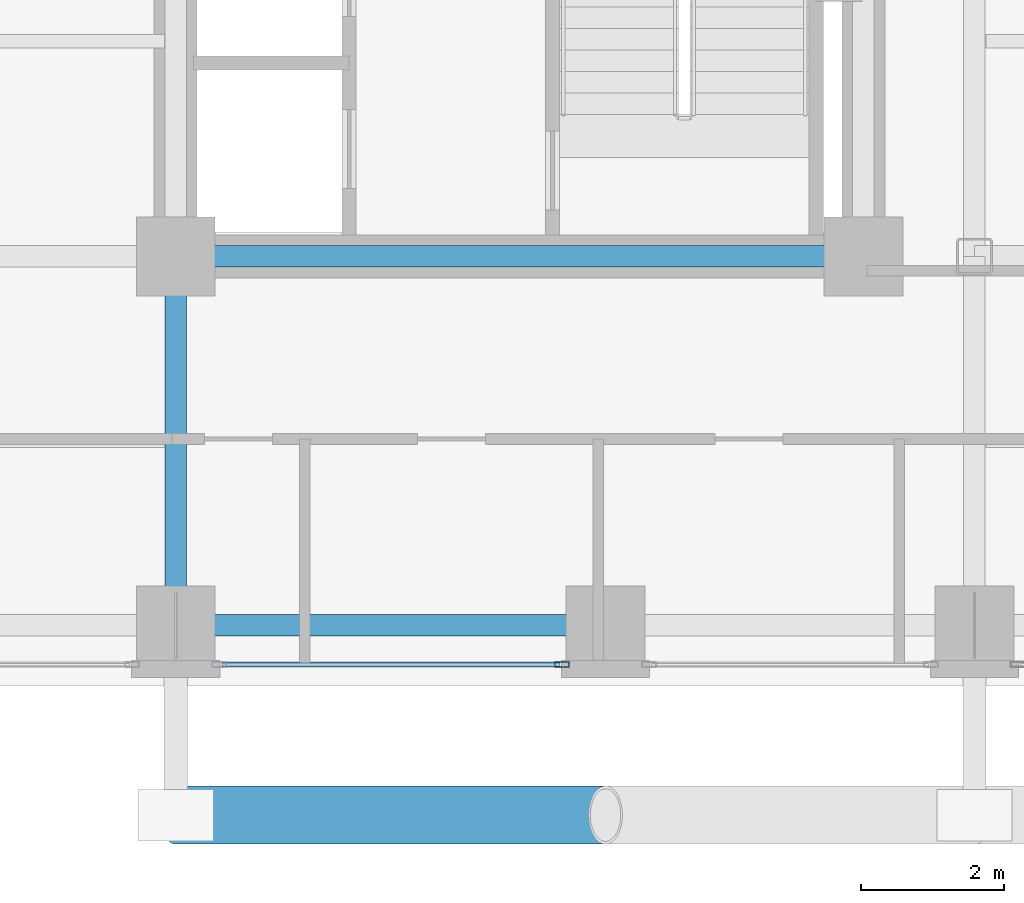
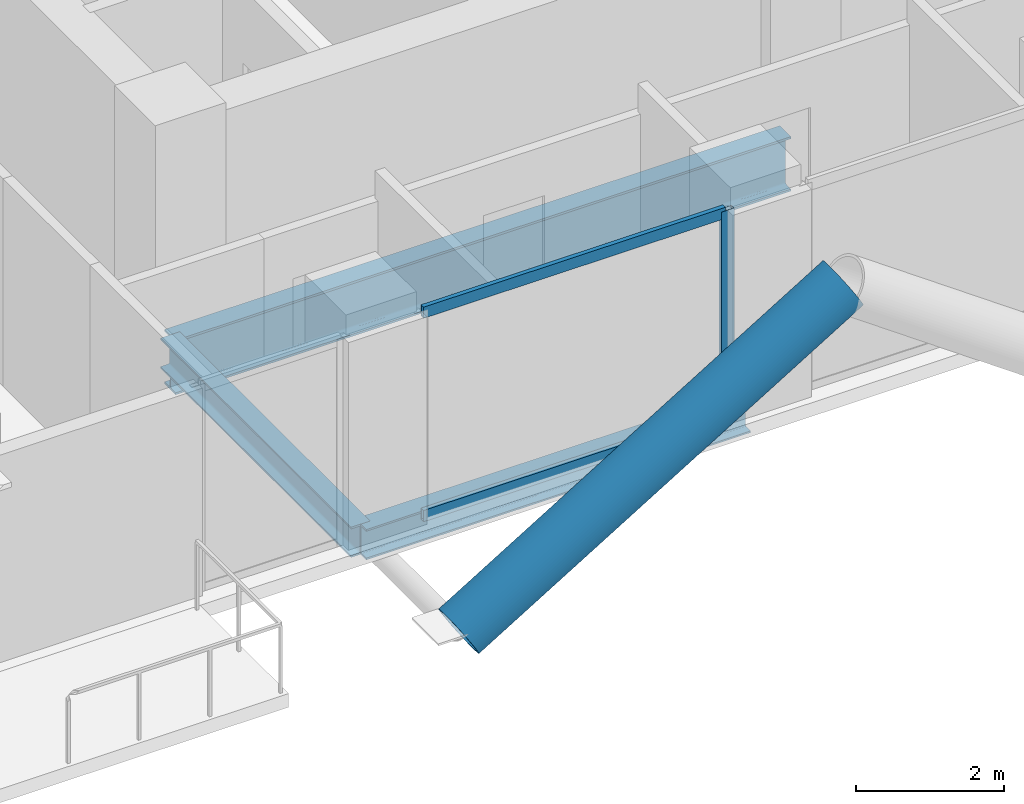
# One storey, part 4 of 24: 4 members, 3 beams, 1 element without a shape of its own.
"""IFC4 building model written with IfcOpenShell, lengths in metres."""

from ifc_helpers import new_model, si_unit, direction, frame, origin, origin_2d, place, context, subcontext, project, spatial, hollow_rectangle, hollow_circle, i_section, extrude, material, layer, layer_set, material_profile, profile_set, type_object, element, aggregate, save


model = new_model("IFC4")

# Units and contexts
model_context = context("Model", 3, precision=1e-05, world=origin(), true_north=direction((0.0, 1.0)))
body_context = subcontext(model_context, "Body", "Model", "MODEL_VIEW")
ifc_project = project(units=[si_unit("LENGTHUNIT", "METRE"), si_unit("AREAUNIT", "SQUARE_METRE"), si_unit("VOLUMEUNIT", "CUBIC_METRE"), si_unit("PLANEANGLEUNIT", "RADIAN"), si_unit("MASSUNIT", "GRAM", prefix="KILO"), si_unit("THERMODYNAMICTEMPERATUREUNIT", "KELVIN"), si_unit("POWERUNIT", "WATT")], contexts=[model_context])

# Site, building, storey
site_placement = place(None, origin())
site = spatial("IfcSite", under=ifc_project, at=site_placement, CompositionType="ELEMENT")
building_placement = place(site_placement, origin())
building = spatial("IfcBuilding", under=site, at=building_placement, Name="Svarakhadi Broadcast Tower", CompositionType="ELEMENT")
storey_placement = place(building_placement, frame((0.0, 0.0, 160.64990234375)))
storey = spatial("IfcBuildingStorey", under=building, at=storey_placement, Name="L39", CompositionType="ELEMENT", Elevation=160.64990234375)

# Curtain wall, members
ifc_material_1 = material(Name="Anodised Bronze Aluminium AA 6063-T6", Category="aluminium")
ifc_layer = layer(ifc_material_1, 0.199951171875)
ifc_layer_set = layer_set([ifc_layer], Name="Anodised Bronze Aluminium AA 6063-T6")
curtain_wall_type = type_object("IfcCurtainWallType", Name="CW_Sys_03", PredefinedType="NOTDEFINED", material=ifc_layer_set)
curtain_wall_placement = place(storey_placement, origin())
curtain_wall = element("IfcCurtainWall", 1, at=curtain_wall_placement, inside=storey, type_object=curtain_wall_type, Name="L39 South Curtain Wall 16 Bay 3", PredefinedType="NOTDEFINED")
ifc_material_profile_1 = material_profile(ifc_material_1, hollow_rectangle(XDim=0.074951171875, YDim=0.199951171875, WallThickness=0.005615234375, at=origin_2d()), Name="ALU MULLION 200x75x6")
ifc_profile_set_1 = profile_set([ifc_material_profile_1], Name="Anodised Bronze Aluminium AA 6063-T6")
member_type_1 = type_object("IfcMemberType", Name="CW_Sys_03_Mul", PredefinedType="MULLION", material=ifc_profile_set_1)
member_1_placement = place(storey_placement, frame((29.392578125, 0.300048828125, 0.0), z_axis=(0.0, 0.0, 1.0), x_axis=(0.0, -1.0, 0.0)))
member_1 = element("IfcMember", 2, at=member_1_placement, type_object=member_type_1, Name="CW-03 mullion 1", PredefinedType="MULLION", context=body_context, shape_type="SweptSolid", body=[
    extrude(hollow_rectangle(XDim=0.074951171875, YDim=0.199951171875, WallThickness=0.005615234375, at=origin_2d()), origin(), (0.0, 0.0, 1.0), 3.425048828125),
])
ifc_material_profile_2 = material_profile(ifc_material_1, hollow_rectangle(XDim=0.070068359375, YDim=0.18505859375, WallThickness=0.0048828125, at=origin_2d()), Name="ALU TRANSOM 185x70x5")
ifc_profile_set_2 = profile_set([ifc_material_profile_2], Name="Anodised Bronze Aluminium AA 6063-T6")
member_type_2 = type_object("IfcMemberType", Name="CW_Sys_03_Trn", PredefinedType="USERDEFINED", material=ifc_profile_set_2)
member_2_placement = place(storey_placement, frame((29.35498046875, 0.300048828125, 0.03515625), z_axis=(-1.0, 0.0, 0.0), x_axis=(0.0, -1.0, 0.0)))
member_2 = element("IfcMember", 3, at=member_2_placement, type_object=member_type_2, Name="CW-03 transom 1.1", ObjectType="TRANSOM", PredefinedType="USERDEFINED", context=body_context, shape_type="SweptSolid", body=[
    extrude(hollow_rectangle(XDim=0.070068359375, YDim=0.18505859375, WallThickness=0.0048828125, at=origin_2d()), origin(), (0.0, 0.0, 1.0), 4.7099609375),
])
member_3_placement = place(storey_placement, frame((29.35498046875, 0.300048828125, 3.39013671875), z_axis=(-1.0, 0.0, 0.0), x_axis=(0.0, -1.0, 0.0)))
member_3 = element("IfcMember", 4, at=member_3_placement, type_object=member_type_2, Name="CW-03 transom 1.2", ObjectType="TRANSOM", PredefinedType="USERDEFINED", context=body_context, shape_type="SweptSolid", body=[
    extrude(hollow_rectangle(XDim=0.070068359375, YDim=0.18505859375, WallThickness=0.0048828125, at=origin_2d()), origin(), (0.0, 0.0, 1.0), 4.7099609375),
])
aggregate(curtain_wall, [member_1, member_2, member_3])

# Member
ifc_material_2 = material(Name="Steel S460ML (IS 2062 E450BR)", Category="steel")
ifc_material_profile_3 = material_profile(ifc_material_2, hollow_circle(Radius=0.406494140625, WallThickness=0.0400390625, at=origin_2d()), Name="CHS 813x40")
ifc_profile_set_3 = profile_set([ifc_material_profile_3], Name="Steel S460ML (IS 2062 E450BR)")
member_type_3 = type_object("IfcMemberType", Name="Exo_Brace_CHS813", PredefinedType="BRACE", material=ifc_profile_set_3)
member_4_placement = place(storey_placement, frame((24.0, -1.800048828125, -0.386962890625), z_axis=(0.854326743865, 0.0, 0.519736293438), x_axis=(0.0, 1.0, 0.0)))
element("IfcMember", 5, at=member_4_placement, inside=storey, type_object=member_type_3, Name="L39 Exposed Bronze Exoskeleton Diagonal S01", PredefinedType="BRACE", context=body_context, shape_type="SweptSolid", body=[
    extrude(hollow_circle(Radius=0.406494140625, WallThickness=0.0400390625, at=origin_2d()), origin(), (0.0, 0.0, 1.0), 7.023193359375),
])

# Beams
ifc_material_3 = material(Name="Steel S355J2 (IS 2062 E350C)", Category="steel")
ifc_material_profile_4 = material_profile(ifc_material_3, i_section(OverallWidth=0.300048828125, OverallDepth=0.5, WebThickness=0.014404296875, FlangeThickness=0.028076171875, FilletRadius=0.027099609375, at=origin_2d()), Name="WPB 500x300x187")
ifc_profile_set_4 = profile_set([ifc_material_profile_4], Name="Steel S355J2 (IS 2062 E350C)")
beam_type_1 = type_object("IfcBeamType", Name="Girder_WPB500", PredefinedType="USERDEFINED", material=ifc_profile_set_4)
beam_1_placement = place(storey_placement, frame((24.0, 0.85009765625, -0.474853515625), z_axis=(1.0, 0.0, 0.0), x_axis=(0.0, 1.0, 0.0)))
element("IfcBeam", 6, at=beam_1_placement, inside=storey, type_object=beam_type_1, Name="L39 Primary E-W Girder G007", ObjectType="GIRDER", PredefinedType="USERDEFINED", context=body_context, shape_type="SweptSolid", body=[
    extrude(i_section(OverallWidth=0.300048828125, OverallDepth=0.5, WebThickness=0.014404296875, FlangeThickness=0.028076171875, FilletRadius=0.027099609375, at=origin_2d()), origin(), (0.0, 0.0, 1.0), 6.0),
])
beam_2_placement = place(storey_placement, frame((24.0, 0.85009765625, -0.474853515625), z_axis=(0.0, 1.0, 0.0), x_axis=(-1.0, 0.0, 0.0)))
element("IfcBeam", 7, at=beam_2_placement, inside=storey, type_object=beam_type_1, Name="L39 Primary N-S Girder G062", ObjectType="GIRDER", PredefinedType="USERDEFINED", context=body_context, shape_type="SweptSolid", body=[
    extrude(i_section(OverallWidth=0.300048828125, OverallDepth=0.5, WebThickness=0.014404296875, FlangeThickness=0.028076171875, FilletRadius=0.027099609375, at=origin_2d()), origin(), (0.0, 0.0, 1.0), 5.14990234375),
])
ifc_material_profile_5 = material_profile(ifc_material_2, i_section(OverallWidth=0.300048828125, OverallDepth=0.89990234375, WebThickness=0.0185546875, FlangeThickness=0.034912109375, FilletRadius=0.030029296875, at=origin_2d()), Name="WPB 900x300x291")
ifc_profile_set_5 = profile_set([ifc_material_profile_5], Name="Steel S460ML (IS 2062 E450BR)")
beam_type_2 = type_object("IfcBeamType", Name="Girder_WPB900", PredefinedType="USERDEFINED", material=ifc_profile_set_5)
beam_3_placement = place(storey_placement, frame((24.0, 6.0, -0.6748046875), z_axis=(1.0, 0.0, 0.0), x_axis=(0.0, 1.0, 0.0)))
element("IfcBeam", 8, at=beam_3_placement, inside=storey, type_object=beam_type_2, Name="L39 Primary E-W Girder G014", ObjectType="GIRDER", PredefinedType="USERDEFINED", context=body_context, shape_type="SweptSolid", body=[
    extrude(i_section(OverallWidth=0.300048828125, OverallDepth=0.89990234375, WebThickness=0.0185546875, FlangeThickness=0.034912109375, FilletRadius=0.030029296875, at=origin_2d()), origin(), (0.0, 0.0, 1.0), 9.60009765625),
])

save(model, "model.ifc")
